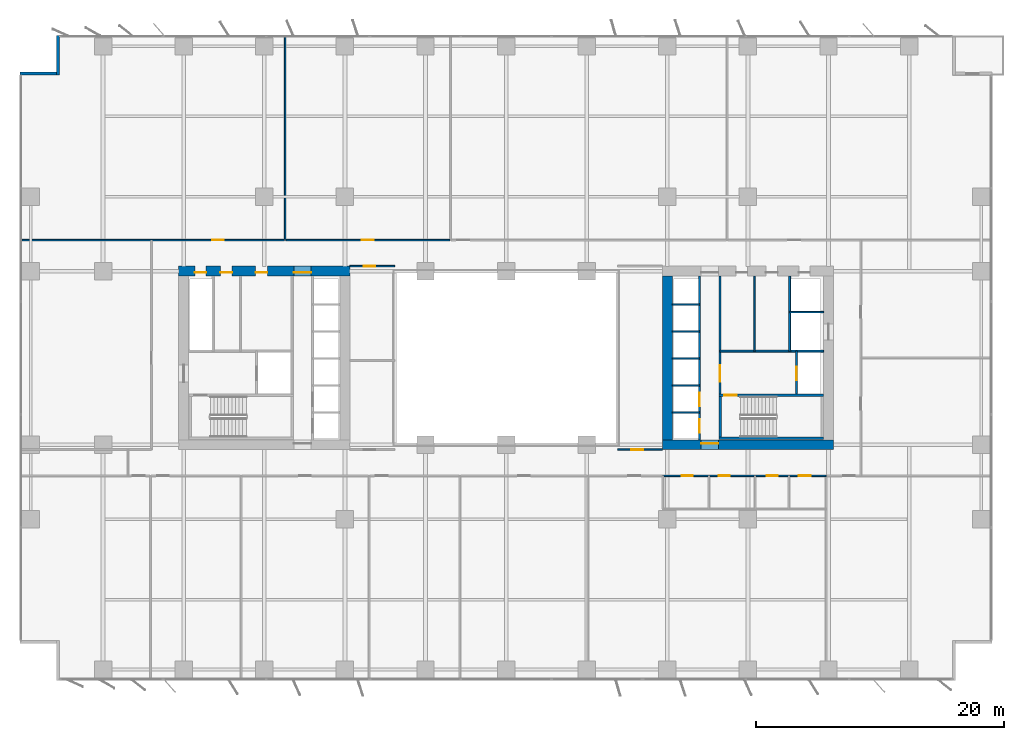
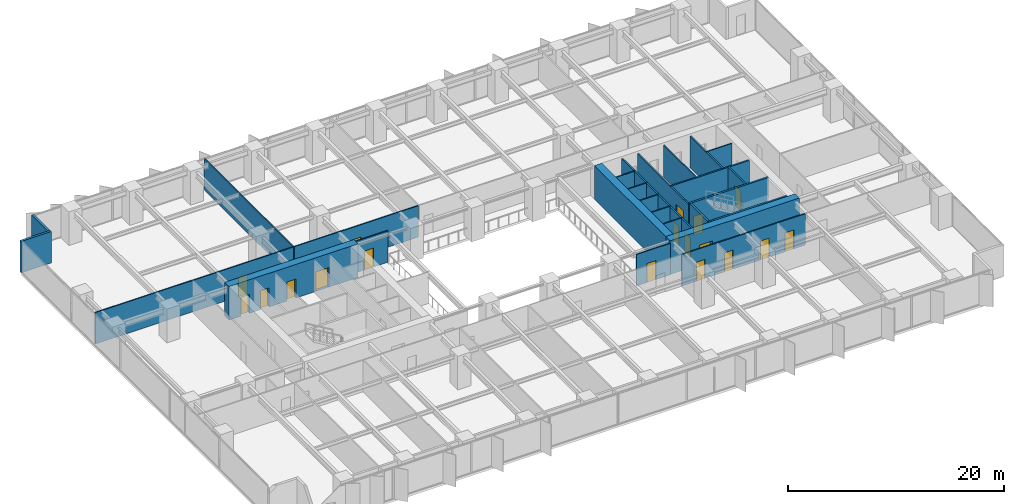
# One storey, part 14 of 20: 26 walls, 18 doors, 18 openings.
"""IFC4 building model written with IfcOpenShell, lengths in metres."""

from ifc_helpers import new_model, si_unit, direction, frame, frame_2d, origin, place, context, subcontext, project, spatial, rectangle, extrude, material, layer, layer_set, type_object, element, fill, save


model = new_model("IFC4")

# Units and contexts
model_context = context("Model", 3, precision=1e-05, world=origin(), true_north=direction((0.0, 1.0)))
body_context = subcontext(model_context, "Body", "Model", "MODEL_VIEW")
ifc_project = project(units=[si_unit("LENGTHUNIT", "METRE"), si_unit("AREAUNIT", "SQUARE_METRE"), si_unit("VOLUMEUNIT", "CUBIC_METRE"), si_unit("PLANEANGLEUNIT", "RADIAN"), si_unit("MASSUNIT", "GRAM", prefix="KILO")], contexts=[model_context])

# Site, building, storey
site_placement = place(None, origin())
site = spatial("IfcSite", under=ifc_project, at=site_placement, CompositionType="ELEMENT")
building_placement = place(site_placement, origin())
building = spatial("IfcBuilding", under=site, at=building_placement, Name="Putna Gate Headquarters", CompositionType="ELEMENT")
storey_placement = place(building_placement, frame((0.0, 0.0, 62.0)))
storey = spatial("IfcBuildingStorey", under=building, at=storey_placement, Name="L14", CompositionType="ELEMENT", Elevation=62.0)

# Wall, openings, doors
ifc_material_1 = material(Name="Concrete C60/75", Category="concrete")
ifc_layer_1 = layer(ifc_material_1, 0.800048828125)
ifc_layer_set_1 = layer_set([ifc_layer_1], Name="Concrete C60/75")
wall_type_1 = type_object("IfcWallType", Name="WALL-CORE-800", PredefinedType="SHEAR", material=ifc_layer_set_1)
wall_1_placement = place(storey_placement, frame((12.60009765625, 33.0, 0.0), z_axis=(0.0, 0.0, 1.0), x_axis=(1.0, 0.0, 0.0)))
wall_1 = element("IfcWall", 1, at=wall_1_placement, inside=storey, type_object=wall_type_1, Name="L14 WC Split Core Shear Wall N", PredefinedType="SHEAR", context=body_context, shape_type="SweptSolid", body=[
    extrude(rectangle(XDim=13.7998046875, YDim=0.800048828125, at=frame_2d((6.89990234375, 0.0))), origin(), (0.0, 0.0, 1.0), 3.800048828125),
])
opening_1_placement = place(wall_1_placement, frame((1.300048828125, 0.0, 0.0)))
opening_1 = element("IfcOpeningElement", 2, at=opening_1_placement, cuts=wall_1, Name="Opening RD-90", PredefinedType="OPENING", context=body_context, shape_type="SweptSolid", body=[
    extrude(rectangle(XDim=0.89990234375, YDim=2.14990234375, at=frame_2d((0.449951171875, 1.074951171875))), frame((0.0, 0.409912109375, 0.0), z_axis=(0.0, -1.0, 0.0), x_axis=(1.0, 0.0, 0.0)), (0.0, 0.0, 1.0), 0.820068359375),
])
opening_2_placement = place(wall_1_placement, frame((3.35009765625, 0.0, 0.0)))
opening_2 = element("IfcOpeningElement", 3, at=opening_2_placement, cuts=wall_1, Name="Opening IDS-95", PredefinedType="OPENING", context=body_context, shape_type="SweptSolid", body=[
    extrude(rectangle(XDim=0.949951171875, YDim=2.14990234375, at=frame_2d((0.47509765625, 1.074951171875))), frame((0.0, 0.409912109375, 0.0), z_axis=(0.0, -1.0, 0.0), x_axis=(1.0, 0.0, 0.0)), (0.0, 0.0, 1.0), 0.820068359375),
])
opening_3_placement = place(wall_1_placement, frame((6.199951171875, 0.0, 0.0)))
opening_3 = element("IfcOpeningElement", 4, at=opening_3_placement, cuts=wall_1, Name="Opening IDS-95", PredefinedType="OPENING", context=body_context, shape_type="SweptSolid", body=[
    extrude(rectangle(XDim=0.949951171875, YDim=2.14990234375, at=frame_2d((0.47509765625, 1.074951171875))), frame((0.0, 0.409912109375, 0.0), z_axis=(0.0, -1.0, 0.0), x_axis=(1.0, 0.0, 0.0)), (0.0, 0.0, 1.0), 0.820068359375),
])
opening_4_placement = place(wall_1_placement, frame((9.280029296875, 0.0, 0.0)))
opening_4 = element("IfcOpeningElement", 5, at=opening_4_placement, cuts=wall_1, Name="Opening FDD-140", PredefinedType="OPENING", context=body_context, shape_type="SweptSolid", body=[
    extrude(rectangle(XDim=1.39990234375, YDim=2.199951171875, at=frame_2d((0.699951171875, 1.10009765625))), frame((0.0, 0.409912109375, 0.0), z_axis=(0.0, -1.0, 0.0), x_axis=(1.0, 0.0, 0.0)), (0.0, 0.0, 1.0), 0.820068359375),
])
ifc_material_2 = material(Name="Double steel fire door", Category="steel")
door_type_1 = type_object("IfcDoorType", Name="DOOR-FIRE-DBL-1400", OperationType="DOUBLE_DOOR_SINGLE_SWING", PredefinedType="DOOR", material=ifc_material_2)
door_1_placement = place(opening_4_placement, origin())
door_1 = element("IfcDoor", 6, at=door_1_placement, inside=storey, type_object=door_type_1, Name="L14 West Lift Lobby North Door", OperationType="DOUBLE_DOOR_SINGLE_SWING", OverallHeight=2.199951171875, OverallWidth=1.39990234375, PredefinedType="DOOR", context=body_context, shape_type="SweptSolid", body=[
    extrude(rectangle(XDim=1.39990234375, YDim=2.199951171875, at=frame_2d((0.699951171875, 1.10009765625))), frame((0.0, -0.0751953125, 0.0), z_axis=(0.0, -1.0, 0.0), x_axis=(1.0, 0.0, 0.0)), (0.0, 0.0, 1.0), 0.050048828125),
])
fill(opening_4, door_1)
ifc_material_3 = material(Name="Fire-rated service timber door", Category="wood")
door_type_2 = type_object("IfcDoorType", Name="DOOR-INT-950", OperationType="NOTDEFINED", PredefinedType="DOOR", material=ifc_material_3)
door_2_placement = place(opening_2_placement, origin())
door_2 = element("IfcDoor", 7, at=door_2_placement, inside=storey, type_object=door_type_2, Name="L14 Archive Store Door", OperationType="SINGLE_SWING_LEFT", OverallHeight=2.14990234375, OverallWidth=0.949951171875, PredefinedType="DOOR", context=body_context, shape_type="SweptSolid", body=[
    extrude(rectangle(XDim=0.949951171875, YDim=2.14990234375, at=frame_2d((0.47509765625, 1.074951171875))), frame((0.0, -0.0751953125, 0.0), z_axis=(0.0, -1.0, 0.0), x_axis=(1.0, 0.0, 0.0)), (0.0, 0.0, 1.0), 0.050048828125),
])
fill(opening_2, door_2)
door_3_placement = place(opening_3_placement, origin())
door_3 = element("IfcDoor", 8, at=door_3_placement, inside=storey, type_object=door_type_2, Name="L14 Switchgear Plant Door", OperationType="SINGLE_SWING_RIGHT", OverallHeight=2.14990234375, OverallWidth=0.949951171875, PredefinedType="DOOR", context=body_context, shape_type="SweptSolid", body=[
    extrude(rectangle(XDim=0.949951171875, YDim=2.14990234375, at=frame_2d((0.47509765625, 1.074951171875))), frame((0.0, -0.0751953125, 0.0), z_axis=(0.0, -1.0, 0.0), x_axis=(1.0, 0.0, 0.0)), (0.0, 0.0, 1.0), 0.050048828125),
])
fill(opening_3, door_3)
ifc_material_4 = material(Name="Steel riser access fire door", Category="steel")
door_type_3 = type_object("IfcDoorType", Name="DOOR-RISER-900", OperationType="NOTDEFINED", PredefinedType="DOOR", material=ifc_material_4)
door_4_placement = place(opening_1_placement, origin())
door_4 = element("IfcDoor", 9, at=door_4_placement, inside=storey, type_object=door_type_3, Name="L14 West Riser Access Door", OperationType="SINGLE_SWING_RIGHT", OverallHeight=2.14990234375, OverallWidth=0.89990234375, PredefinedType="DOOR", context=body_context, shape_type="SweptSolid", body=[
    extrude(rectangle(XDim=0.89990234375, YDim=2.14990234375, at=frame_2d((0.449951171875, 1.074951171875))), frame((0.0, -0.0751953125, 0.0), z_axis=(0.0, -1.0, 0.0), x_axis=(1.0, 0.0, 0.0)), (0.0, 0.0, 1.0), 0.050048828125),
])
fill(opening_1, door_4)

# Wall, opening, door
wall_2_placement = place(storey_placement, frame((51.60009765625, 19.0, 0.0), z_axis=(0.0, 0.0, 1.0), x_axis=(1.0, 0.0, 0.0)))
wall_2 = element("IfcWall", 10, at=wall_2_placement, inside=storey, type_object=wall_type_1, Name="L14 EC Split Core Shear Wall S", PredefinedType="SHEAR", context=body_context, shape_type="SweptSolid", body=[
    extrude(rectangle(XDim=13.7998046875, YDim=0.800048828125, at=frame_2d((6.89990234375, 0.0))), origin(), (0.0, 0.0, 1.0), 3.800048828125),
])
opening_5_placement = place(wall_2_placement, frame((3.1201171875, 0.0, 0.0)))
opening_5 = element("IfcOpeningElement", 11, at=opening_5_placement, cuts=wall_2, Name="Opening FDD-140", PredefinedType="OPENING", context=body_context, shape_type="SweptSolid", body=[
    extrude(rectangle(XDim=1.39990234375, YDim=2.199951171875, at=frame_2d((0.699951171875, 1.10009765625))), frame((0.0, 0.409912109375, 0.0), z_axis=(0.0, -1.0, 0.0), x_axis=(1.0, 0.0, 0.0)), (0.0, 0.0, 1.0), 0.820068359375),
])
door_5_placement = place(opening_5_placement, origin())
door_5 = element("IfcDoor", 12, at=door_5_placement, inside=storey, type_object=door_type_1, Name="L14 East Lift Lobby South Door", OperationType="DOUBLE_DOOR_SINGLE_SWING", OverallHeight=2.199951171875, OverallWidth=1.39990234375, PredefinedType="DOOR", context=body_context, shape_type="SweptSolid", body=[
    extrude(rectangle(XDim=1.39990234375, YDim=2.199951171875, at=frame_2d((0.699951171875, 1.10009765625))), frame((0.0, 0.125, 0.0), z_axis=(0.0, -1.0, 0.0), x_axis=(1.0, 0.0, 0.0)), (0.0, 0.0, 1.0), 0.050048828125),
])
fill(opening_5, door_5)

# Walls
wall_3_placement = place(storey_placement, frame((52.0, 19.39990234375, 0.0), z_axis=(0.0, 0.0, 1.0), x_axis=(0.0, 1.0, 0.0)))
element("IfcWall", 13, at=wall_3_placement, inside=storey, type_object=wall_type_1, Name="L14 EC Split Core Shear Wall W", PredefinedType="SHEAR", context=body_context, shape_type="SweptSolid", body=[
    extrude(rectangle(XDim=13.2001953125, YDim=0.800048828125, at=frame_2d((6.60009765625, 0.0))), origin(), (0.0, 0.0, 1.0), 3.800048828125),
])
ifc_material_5 = material(Name="Precast concrete C40/50", Category="concrete")
ifc_layer_2 = layer(ifc_material_5, 0.239990234375)
ifc_layer_set_2 = layer_set([ifc_layer_2], Name="Precast concrete C40/50")
wall_type_2 = type_object("IfcWallType", Name="WALL-EXT-TERR-240", PredefinedType="STANDARD", material=ifc_layer_set_2)
for number, where, z_axis, x_axis, name in (
    (14, (2.8798828125, 48.800048828125, 0.0), (0.0, 0.0, 1.0), (0.0, 1.0, 0.0), "L14 Corner Notch Return Wall NW-V"),
    (15, (-0.199951171875, 48.919921875, 0.0), (0.0, 0.0, 1.0), (1.0, 0.0, 0.0), "L14 Corner Notch Return Wall NW-H"),
):
    element("IfcWall", number, at=place(storey_placement, frame(where, z_axis=z_axis, x_axis=x_axis)), inside=storey, type_object=wall_type_2, Name=name, PredefinedType="STANDARD", context=body_context, shape_type="SweptSolid", body=[
        extrude(rectangle(XDim=3.199951171875, YDim=0.239990234375, at=frame_2d((1.60009765625, 0.0))), origin(), (0.0, 0.0, 1.0), 3.550048828125),
    ])

# Wall, opening, door
ifc_material_6 = material(Name="Acoustic gypsum board on metal stud")
ifc_layer_3 = layer(ifc_material_6, 0.1201171875)
ifc_layer_set_3 = layer_set([ifc_layer_3], Name="Acoustic gypsum board on metal stud")
wall_type_3 = type_object("IfcWallType", Name="WALL-PART-120", PredefinedType="PARTITIONING", material=ifc_layer_set_3)
wall_4_placement = place(storey_placement, frame((26.39990234375, 33.39990234375, 0.0), z_axis=(0.0, 0.0, 1.0), x_axis=(1.0, 0.0, 0.0)))
wall_4 = element("IfcWall", 16, at=wall_4_placement, inside=storey, type_object=wall_type_3, Name="L14 Interior Wall PART-L14-ATR-W-N", PredefinedType="PARTITIONING", context=body_context, shape_type="SweptSolid", body=[
    extrude(rectangle(XDim=3.60009765625, YDim=0.1201171875, at=frame_2d((1.800048828125, 0.0))), origin(), (0.0, 0.0, 1.0), 3.550048828125),
])
opening_6_placement = place(wall_4_placement, frame((1.10009765625, 0.0, 0.0)))
opening_6 = element("IfcOpeningElement", 17, at=opening_6_placement, cuts=wall_4, Name="Opening ID-95", PredefinedType="OPENING", context=body_context, shape_type="SweptSolid", body=[
    extrude(rectangle(XDim=0.949951171875, YDim=2.14990234375, at=frame_2d((0.47509765625, 1.074951171875))), frame((0.0, 0.070068359375, 0.0), z_axis=(0.0, -1.0, 0.0), x_axis=(1.0, 0.0, 0.0)), (0.0, 0.0, 1.0), 0.14013671875),
])
ifc_material_7 = material(Name="Veneered acoustic timber door", Category="wood")
door_type_4 = type_object("IfcDoorType", Name="DOOR-OFF-950", OperationType="NOTDEFINED", PredefinedType="DOOR", material=ifc_material_7)
door_6_placement = place(opening_6_placement, origin())
door_6 = element("IfcDoor", 18, at=door_6_placement, inside=storey, type_object=door_type_4, Name="L14 West Atrium North Study Door", OperationType="SINGLE_SWING_RIGHT", OverallHeight=2.14990234375, OverallWidth=0.949951171875, PredefinedType="DOOR", context=body_context, shape_type="SweptSolid", body=[
    extrude(rectangle(XDim=0.949951171875, YDim=2.14990234375, at=frame_2d((0.47509765625, 1.074951171875))), frame((0.0, 0.02490234375, 0.0), z_axis=(0.0, -1.0, 0.0), x_axis=(1.0, 0.0, 0.0)), (0.0, 0.0, 1.0), 0.050048828125),
])
fill(opening_6, door_6)

wall_5_placement = place(storey_placement, frame((48.0, 18.60009765625, 0.0), z_axis=(0.0, 0.0, 1.0), x_axis=(1.0, 0.0, 0.0)))
wall_5 = element("IfcWall", 19, at=wall_5_placement, inside=storey, type_object=wall_type_3, Name="L14 Interior Wall PART-L14-ATR-E-S", PredefinedType="PARTITIONING", context=body_context, shape_type="SweptSolid", body=[
    extrude(rectangle(XDim=3.60009765625, YDim=0.1201171875, at=frame_2d((1.800048828125, 0.0))), origin(), (0.0, 0.0, 1.0), 3.550048828125),
])
opening_7_placement = place(wall_5_placement, frame((1.10009765625, 0.0, 0.0)))
opening_7 = element("IfcOpeningElement", 20, at=opening_7_placement, cuts=wall_5, Name="Opening ID-95", PredefinedType="OPENING", context=body_context, shape_type="SweptSolid", body=[
    extrude(rectangle(XDim=0.949951171875, YDim=2.14990234375, at=frame_2d((0.47509765625, 1.074951171875))), frame((0.0, 0.070068359375, 0.0), z_axis=(0.0, -1.0, 0.0), x_axis=(1.0, 0.0, 0.0)), (0.0, 0.0, 1.0), 0.14013671875),
])
door_7_placement = place(opening_7_placement, origin())
door_7 = element("IfcDoor", 21, at=door_7_placement, inside=storey, type_object=door_type_4, Name="L14 East Atrium Gallery Lounge Door", OperationType="SINGLE_SWING_LEFT", OverallHeight=2.14990234375, OverallWidth=0.949951171875, PredefinedType="DOOR", context=body_context, shape_type="SweptSolid", body=[
    extrude(rectangle(XDim=0.949951171875, YDim=2.14990234375, at=frame_2d((0.47509765625, 1.074951171875))), frame((0.0, 0.02490234375, 0.0), z_axis=(0.0, -1.0, 0.0), x_axis=(1.0, 0.0, 0.0)), (0.0, 0.0, 1.0), 0.050048828125),
])
fill(opening_7, door_7)

# Walls
wall_6_placement = place(storey_placement, frame((21.17578125, 35.56005859375, 0.0), z_axis=(0.0, 0.0, 1.0), x_axis=(0.0, 1.0, 0.0)))
element("IfcWall", 22, at=wall_6_placement, inside=storey, type_object=wall_type_3, Name="L14 Interior Wall PART-L14-NB-DIV-01", PredefinedType="PARTITIONING", context=body_context, shape_type="SweptSolid", body=[
    extrude(rectangle(XDim=16.419921875, YDim=0.1201171875, at=frame_2d((8.2099609375, 0.0))), origin(), (0.0, 0.0, 1.0), 3.550048828125),
])
ifc_material_8 = material(Name="Fire-rated shaftwall gypsum board on metal stud")
ifc_layer_4 = layer(ifc_material_8, 0.1201171875)
ifc_layer_set_4 = layer_set([ifc_layer_4], Name="Fire-rated shaftwall gypsum board on metal stud")
wall_type_4 = type_object("IfcWallType", Name="WALL-PART-120-EI120", PredefinedType="PARTITIONING", material=ifc_layer_set_4)
for number, where, z_axis, x_axis, name in (
    (23, (52.39990234375, 21.610107421875, 0.0), (0.0, 0.0, 1.0), (1.0, 0.0, 0.0), "L14 Interior Wall CWINT-L14-EC-LF03-DIV"),
    (24, (52.39990234375, 23.780029296875, 0.0), (0.0, 0.0, 1.0), (1.0, 0.0, 0.0), "L14 Interior Wall CWINT-L14-EC-LF04-DIV"),
    (25, (52.39990234375, 25.949951171875, 0.0), (0.0, 0.0, 1.0), (1.0, 0.0, 0.0), "L14 Interior Wall CWINT-L14-EC-LF07-DIV"),
    (26, (52.39990234375, 28.1201171875, 0.0), (0.0, 0.0, 1.0), (1.0, 0.0, 0.0), "L14 Interior Wall CWINT-L14-EC-LF08-DIV"),
    (27, (52.39990234375, 30.31005859375, 0.0), (0.0, 0.0, 1.0), (1.0, 0.0, 0.0), "L14 Interior Wall CWINT-L14-EC-LF11-DIV"),
):
    element("IfcWall", number, at=place(storey_placement, frame(where, z_axis=z_axis, x_axis=x_axis)), inside=storey, type_object=wall_type_4, Name=name, PredefinedType="PARTITIONING", context=body_context, shape_type="SweptSolid", body=[
        extrude(rectangle(XDim=2.2001953125, YDim=0.1201171875, at=frame_2d((1.10009765625, 0.0))), origin(), (0.0, 0.0, 1.0), 3.550048828125),
    ])
wall_7_placement = place(storey_placement, frame((61.8701171875, 29.699951171875, 0.0), z_axis=(0.0, 0.0, 1.0), x_axis=(1.0, 0.0, 0.0)))
element("IfcWall", 28, at=wall_7_placement, inside=storey, type_object=wall_type_4, Name="L14 Interior Wall CWINT-L14-EC-LF15-N", PredefinedType="PARTITIONING", context=body_context, shape_type="SweptSolid", body=[
    extrude(rectangle(XDim=2.72998046875, YDim=0.1201171875, at=frame_2d((1.364990234375, 0.0))), origin(), (0.0, 0.0, 1.0), 3.550048828125),
])
ifc_material_9 = material(Name="Fire-rated gypsum board on metal stud")
ifc_layer_5 = layer(ifc_material_9, 0.1201171875)
ifc_layer_set_5 = layer_set([ifc_layer_5], Name="Fire-rated gypsum board on metal stud")
wall_type_5 = type_object("IfcWallType", Name="WALL-PART-120-RATED", PredefinedType="PARTITIONING", material=ifc_layer_set_5)
wall_8_placement = place(storey_placement, frame((59.02001953125, 26.56005859375, 0.0), z_axis=(0.0, 0.0, 1.0), x_axis=(0.0, 1.0, 0.0)))
element("IfcWall", 29, at=wall_8_placement, inside=storey, type_object=wall_type_5, Name="L14 Interior Wall CWINT-L14-EC-K1-DIV", PredefinedType="PARTITIONING", context=body_context, shape_type="SweptSolid", body=[
    extrude(rectangle(XDim=6.0400390625, YDim=0.1201171875, at=frame_2d((3.02001953125, 0.0))), origin(), (0.0, 0.0, 1.0), 3.550048828125),
])

# Wall, openings, doors
wall_9_placement = place(storey_placement, frame((51.639892578125, 16.5, 0.0), z_axis=(0.0, 0.0, 1.0), x_axis=(1.0, 0.0, 0.0)))
wall_9 = element("IfcWall", 30, at=wall_9_placement, inside=storey, type_object=wall_type_5, Name="L14 Interior Wall PART-L14-SAN-CW", PredefinedType="PARTITIONING", context=body_context, shape_type="SweptSolid", body=[
    extrude(rectangle(XDim=13.16015625, YDim=0.1201171875, at=frame_2d((6.580078125, 0.0))), origin(), (0.0, 0.0, 1.0), 3.550048828125),
])
opening_8_placement = place(wall_9_placement, frame((1.510009765625, 0.0, 0.0)))
opening_8 = element("IfcOpeningElement", 31, at=opening_8_placement, cuts=wall_9, Name="Opening FD-90", PredefinedType="OPENING", context=body_context, shape_type="SweptSolid", body=[
    extrude(rectangle(XDim=0.89990234375, YDim=2.14990234375, at=frame_2d((0.449951171875, 1.074951171875))), frame((0.0, 0.070068359375, 0.0), z_axis=(0.0, -1.0, 0.0), x_axis=(1.0, 0.0, 0.0)), (0.0, 0.0, 1.0), 0.14013671875),
])
opening_9_placement = place(wall_9_placement, frame((4.510009765625, 0.0, 0.0)))
opening_9 = element("IfcOpeningElement", 32, at=opening_9_placement, cuts=wall_9, Name="Opening FD-90", PredefinedType="OPENING", context=body_context, shape_type="SweptSolid", body=[
    extrude(rectangle(XDim=0.89990234375, YDim=2.14990234375, at=frame_2d((0.449951171875, 1.074951171875))), frame((0.0, 0.070068359375, 0.0), z_axis=(0.0, -1.0, 0.0), x_axis=(1.0, 0.0, 0.0)), (0.0, 0.0, 1.0), 0.14013671875),
])
opening_10_placement = place(wall_9_placement, frame((8.360107421875, 0.0, 0.0)))
opening_10 = element("IfcOpeningElement", 33, at=opening_10_placement, cuts=wall_9, Name="Opening FD-90", PredefinedType="OPENING", context=body_context, shape_type="SweptSolid", body=[
    extrude(rectangle(XDim=0.89990234375, YDim=2.14990234375, at=frame_2d((0.449951171875, 1.074951171875))), frame((0.0, 0.070068359375, 0.0), z_axis=(0.0, -1.0, 0.0), x_axis=(1.0, 0.0, 0.0)), (0.0, 0.0, 1.0), 0.14013671875),
])
opening_11_placement = place(wall_9_placement, frame((10.9599609375, 0.0, 0.0)))
opening_11 = element("IfcOpeningElement", 34, at=opening_11_placement, cuts=wall_9, Name="Opening FD-95", PredefinedType="OPENING", context=body_context, shape_type="SweptSolid", body=[
    extrude(rectangle(XDim=0.949951171875, YDim=2.14990234375, at=frame_2d((0.47509765625, 1.074951171875))), frame((0.0, 0.070068359375, 0.0), z_axis=(0.0, -1.0, 0.0), x_axis=(1.0, 0.0, 0.0)), (0.0, 0.0, 1.0), 0.14013671875),
])
ifc_material_10 = material(Name="Acoustic washroom fire door")
door_type_5 = type_object("IfcDoorType", Name="DOOR-FIRE-900", OperationType="NOTDEFINED", PredefinedType="DOOR", material=ifc_material_10)
door_8_placement = place(opening_8_placement, origin())
door_8 = element("IfcDoor", 35, at=door_8_placement, inside=storey, type_object=door_type_5, Name="L14 Washroom Male Door", OperationType="SINGLE_SWING_RIGHT", OverallHeight=2.14990234375, OverallWidth=0.89990234375, PredefinedType="DOOR", context=body_context, shape_type="SweptSolid", body=[
    extrude(rectangle(XDim=0.89990234375, YDim=2.14990234375, at=frame_2d((0.449951171875, 1.074951171875))), frame((0.0, 0.02490234375, 0.0), z_axis=(0.0, -1.0, 0.0), x_axis=(1.0, 0.0, 0.0)), (0.0, 0.0, 1.0), 0.050048828125),
])
fill(opening_8, door_8)
door_9_placement = place(opening_9_placement, origin())
door_9 = element("IfcDoor", 36, at=door_9_placement, inside=storey, type_object=door_type_5, Name="L14 Washroom Female Door", OperationType="SINGLE_SWING_LEFT", OverallHeight=2.14990234375, OverallWidth=0.89990234375, PredefinedType="DOOR", context=body_context, shape_type="SweptSolid", body=[
    extrude(rectangle(XDim=0.89990234375, YDim=2.14990234375, at=frame_2d((0.449951171875, 1.074951171875))), frame((0.0, 0.02490234375, 0.0), z_axis=(0.0, -1.0, 0.0), x_axis=(1.0, 0.0, 0.0)), (0.0, 0.0, 1.0), 0.050048828125),
])
fill(opening_9, door_9)
door_10_placement = place(opening_10_placement, origin())
door_10 = element("IfcDoor", 37, at=door_10_placement, inside=storey, type_object=door_type_5, Name="L14 Accessible WC Door", OperationType="SINGLE_SWING_RIGHT", OverallHeight=2.14990234375, OverallWidth=0.89990234375, PredefinedType="DOOR", context=body_context, shape_type="SweptSolid", body=[
    extrude(rectangle(XDim=0.89990234375, YDim=2.14990234375, at=frame_2d((0.449951171875, 1.074951171875))), frame((0.0, 0.02490234375, 0.0), z_axis=(0.0, -1.0, 0.0), x_axis=(1.0, 0.0, 0.0)), (0.0, 0.0, 1.0), 0.050048828125),
])
fill(opening_10, door_10)
ifc_material_11 = material(Name="Acoustic timber fire door", Category="wood")
door_type_6 = type_object("IfcDoorType", Name="DOOR-FIRE-950", OperationType="NOTDEFINED", PredefinedType="DOOR", material=ifc_material_11)
door_11_placement = place(opening_11_placement, origin())
door_11 = element("IfcDoor", 38, at=door_11_placement, inside=storey, type_object=door_type_6, Name="L14 Staff Pantry and Tea Point Door", OperationType="SINGLE_SWING_LEFT", OverallHeight=2.14990234375, OverallWidth=0.949951171875, PredefinedType="DOOR", context=body_context, shape_type="SweptSolid", body=[
    extrude(rectangle(XDim=0.949951171875, YDim=2.14990234375, at=frame_2d((0.47509765625, 1.074951171875))), frame((0.0, 0.02490234375, 0.0), z_axis=(0.0, -1.0, 0.0), x_axis=(1.0, 0.0, 0.0)), (0.0, 0.0, 1.0), 0.050048828125),
])
fill(opening_11, door_11)

# Wall, opening, door
wall_10_placement = place(storey_placement, frame((-0.02001953125, 35.5, 0.0), z_axis=(0.0, 0.0, 1.0), x_axis=(1.0, 0.0, 0.0)))
wall_10 = element("IfcWall", 39, at=wall_10_placement, inside=storey, type_object=wall_type_5, Name="L14 Interior Wall PART-L14-NB-CW-01", PredefinedType="PARTITIONING", context=body_context, shape_type="SweptSolid", body=[
    extrude(rectangle(XDim=21.1357421875, YDim=0.1201171875, at=frame_2d((10.56787109375, 0.0))), origin(), (0.0, 0.0, 1.0), 3.550048828125),
])
opening_12_placement = place(wall_10_placement, frame((15.302978515625, 0.0, 0.0)))
opening_12 = element("IfcOpeningElement", 40, at=opening_12_placement, cuts=wall_10, Name="Opening FD-95", PredefinedType="OPENING", context=body_context, shape_type="SweptSolid", body=[
    extrude(rectangle(XDim=0.949951171875, YDim=2.14990234375, at=frame_2d((0.47509765625, 1.074951171875))), frame((0.0, 0.070068359375, 0.0), z_axis=(0.0, -1.0, 0.0), x_axis=(1.0, 0.0, 0.0)), (0.0, 0.0, 1.0), 0.14013671875),
])
door_12_placement = place(opening_12_placement, origin())
door_12 = element("IfcDoor", 41, at=door_12_placement, inside=storey, type_object=door_type_6, Name="L14 Quiet Wellness Focus Studio 2 Door", OperationType="SINGLE_SWING_RIGHT", OverallHeight=2.14990234375, OverallWidth=0.949951171875, PredefinedType="DOOR", context=body_context, shape_type="SweptSolid", body=[
    extrude(rectangle(XDim=0.949951171875, YDim=2.14990234375, at=frame_2d((0.47509765625, 1.074951171875))), frame((0.0, 0.02490234375, 0.0), z_axis=(0.0, -1.0, 0.0), x_axis=(1.0, 0.0, 0.0)), (0.0, 0.0, 1.0), 0.050048828125),
])
fill(opening_12, door_12)

wall_11_placement = place(storey_placement, frame((21.235595703125, 35.5, 0.0), z_axis=(0.0, 0.0, 1.0), x_axis=(1.0, 0.0, 0.0)))
wall_11 = element("IfcWall", 42, at=wall_11_placement, inside=storey, type_object=wall_type_5, Name="L14 Interior Wall PART-L14-NB-CW-02", PredefinedType="PARTITIONING", context=body_context, shape_type="SweptSolid", body=[
    extrude(rectangle(XDim=13.232666015625, YDim=0.1201171875, at=frame_2d((6.6162109375, 0.0))), origin(), (0.0, 0.0, 1.0), 3.550048828125),
])
opening_13_placement = place(wall_11_placement, frame((6.141357421875, 0.0, 0.0)))
opening_13 = element("IfcOpeningElement", 43, at=opening_13_placement, cuts=wall_11, Name="Opening FD-95", PredefinedType="OPENING", context=body_context, shape_type="SweptSolid", body=[
    extrude(rectangle(XDim=0.949951171875, YDim=2.14990234375, at=frame_2d((0.47509765625, 1.074951171875))), frame((0.0, 0.070068359375, 0.0), z_axis=(0.0, -1.0, 0.0), x_axis=(1.0, 0.0, 0.0)), (0.0, 0.0, 1.0), 0.14013671875),
])
door_13_placement = place(opening_13_placement, origin())
door_13 = element("IfcDoor", 44, at=door_13_placement, inside=storey, type_object=door_type_6, Name="L14 Conference Meeting Room 2 Door", OperationType="SINGLE_SWING_LEFT", OverallHeight=2.14990234375, OverallWidth=0.949951171875, PredefinedType="DOOR", context=body_context, shape_type="SweptSolid", body=[
    extrude(rectangle(XDim=0.949951171875, YDim=2.14990234375, at=frame_2d((0.47509765625, 1.074951171875))), frame((0.0, 0.02490234375, 0.0), z_axis=(0.0, -1.0, 0.0), x_axis=(1.0, 0.0, 0.0)), (0.0, 0.0, 1.0), 0.050048828125),
])
fill(opening_13, door_13)

# Wall, openings, doors
ifc_material_12 = material(Name="Concrete C40/50", Category="concrete")
ifc_layer_6 = layer(ifc_material_12, 0.159912109375)
ifc_layer_set_6 = layer_set([ifc_layer_6], Name="Concrete C40/50")
wall_type_6 = type_object("IfcWallType", Name="WALL-SHAFT-160", PredefinedType="STANDARD", material=ifc_layer_set_6)
wall_12_placement = place(storey_placement, frame((54.60009765625, 19.39990234375, 0.0), z_axis=(0.0, 0.0, 1.0), x_axis=(0.0, 1.0, 0.0)))
wall_12 = element("IfcWall", 45, at=wall_12_placement, inside=storey, type_object=wall_type_6, Name="L14 Interior Wall CWINT-L14-EC-PL-WALL", PredefinedType="STANDARD", context=body_context, shape_type="SweptSolid", body=[
    extrude(rectangle(XDim=13.2001953125, YDim=0.159912109375, at=frame_2d((6.60009765625, 0.0))), origin(), (0.0, 0.0, 1.0), 3.550048828125),
])
opening_14_placement = place(wall_12_placement, frame((0.550048828125, 0.0, 0.0)))
opening_14 = element("IfcOpeningElement", 46, at=opening_14_placement, cuts=wall_12, Name="Opening LD-1", PredefinedType="OPENING", context=body_context, shape_type="SweptSolid", body=[
    extrude(rectangle(XDim=1.10009765625, YDim=2.199951171875, at=frame_2d((0.550048828125, 1.10009765625))), frame((0.0, 0.08984375, 0.0), z_axis=(0.0, -1.0, 0.0), x_axis=(1.0, 0.0, 0.0)), (0.0, 0.0, 1.0), 0.179931640625),
])
opening_15_placement = place(wall_12_placement, frame((2.699951171875, 0.0, 0.0)))
opening_15 = element("IfcOpeningElement", 47, at=opening_15_placement, cuts=wall_12, Name="Opening LD-1", PredefinedType="OPENING", context=body_context, shape_type="SweptSolid", body=[
    extrude(rectangle(XDim=1.10009765625, YDim=2.199951171875, at=frame_2d((0.550048828125, 1.10009765625))), frame((0.0, 0.08984375, 0.0), z_axis=(0.0, -1.0, 0.0), x_axis=(1.0, 0.0, 0.0)), (0.0, 0.0, 1.0), 0.179931640625),
])
ifc_material_13 = material(Name="Brushed bronze stainless lift landing door")
door_type_7 = type_object("IfcDoorType", Name="DOOR-LIFT-1100", OperationType="DOUBLE_DOOR_SLIDING", PredefinedType="DOOR", material=ifc_material_13)
door_14_placement = place(opening_14_placement, origin())
door_14 = element("IfcDoor", 48, at=door_14_placement, inside=storey, type_object=door_type_7, Name="L14 Lift Landing Door LD-03", OperationType="DOUBLE_DOOR_SLIDING", OverallHeight=2.199951171875, OverallWidth=1.10009765625, PredefinedType="DOOR", context=body_context, shape_type="SweptSolid", body=[
    extrude(rectangle(XDim=1.10009765625, YDim=2.199951171875, at=frame_2d((0.550048828125, 1.10009765625))), frame((0.0, 0.02490234375, 0.0), z_axis=(0.0, -1.0, 0.0), x_axis=(1.0, 0.0, 0.0)), (0.0, 0.0, 1.0), 0.050048828125),
])
fill(opening_14, door_14)
door_15_placement = place(opening_15_placement, origin())
door_15 = element("IfcDoor", 49, at=door_15_placement, inside=storey, type_object=door_type_7, Name="L14 Lift Landing Door LD-04", OperationType="DOUBLE_DOOR_SLIDING", OverallHeight=2.199951171875, OverallWidth=1.10009765625, PredefinedType="DOOR", context=body_context, shape_type="SweptSolid", body=[
    extrude(rectangle(XDim=1.10009765625, YDim=2.199951171875, at=frame_2d((0.550048828125, 1.10009765625))), frame((0.0, 0.02490234375, 0.0), z_axis=(0.0, -1.0, 0.0), x_axis=(1.0, 0.0, 0.0)), (0.0, 0.0, 1.0), 0.050048828125),
])
fill(opening_15, door_15)

# Wall, opening, door
wall_13_placement = place(storey_placement, frame((56.260009765625, 23.090087890625, 0.0), z_axis=(0.0, 0.0, 1.0), x_axis=(0.0, 1.0, 0.0)))
wall_13 = element("IfcWall", 50, at=wall_13_placement, inside=storey, type_object=wall_type_6, Name="L14 Interior Wall CWINT-L14-EC-LOB-E", PredefinedType="STANDARD", context=body_context, shape_type="SweptSolid", body=[
    extrude(rectangle(XDim=9.510009765625, YDim=0.159912109375, at=frame_2d((4.7548828125, 0.0))), origin(), (0.0, 0.0, 1.0), 3.550048828125),
])
opening_16_placement = place(wall_13_placement, frame((1.010009765625, 0.0, 0.0)))
opening_16 = element("IfcOpeningElement", 51, at=opening_16_placement, cuts=wall_13, Name="Opening FDD-130", PredefinedType="OPENING", context=body_context, shape_type="SweptSolid", body=[
    extrude(rectangle(XDim=1.300048828125, YDim=2.199951171875, at=frame_2d((0.64990234375, 1.10009765625))), frame((0.0, 0.08984375, 0.0), z_axis=(0.0, -1.0, 0.0), x_axis=(1.0, 0.0, 0.0)), (0.0, 0.0, 1.0), 0.179931640625),
])
ifc_material_14 = material(Name="Double steel lobby fire door", Category="steel")
door_type_8 = type_object("IfcDoorType", Name="DOOR-FIRE-DBL-1300", OperationType="DOUBLE_DOOR_SINGLE_SWING", PredefinedType="DOOR", material=ifc_material_14)
door_16_placement = place(opening_16_placement, origin())
door_16 = element("IfcDoor", 52, at=door_16_placement, inside=storey, type_object=door_type_8, Name="L14 East Firefighting Lobby Door", OperationType="DOUBLE_DOOR_SINGLE_SWING", OverallHeight=2.199951171875, OverallWidth=1.300048828125, PredefinedType="DOOR", context=body_context, shape_type="SweptSolid", body=[
    extrude(rectangle(XDim=1.300048828125, YDim=2.199951171875, at=frame_2d((0.64990234375, 1.10009765625))), frame((0.0, 0.02490234375, 0.0), z_axis=(0.0, -1.0, 0.0), x_axis=(1.0, 0.0, 0.0)), (0.0, 0.0, 1.0), 0.050048828125),
])
fill(opening_16, door_16)

wall_14_placement = place(storey_placement, frame((62.429931640625, 23.090087890625, 0.0), z_axis=(0.0, 0.0, 1.0), x_axis=(0.0, 1.0, 0.0)))
wall_14 = element("IfcWall", 53, at=wall_14_placement, inside=storey, type_object=wall_type_6, Name="L14 Interior Wall CWINT-L14-EC-LF14-W", PredefinedType="STANDARD", context=body_context, shape_type="SweptSolid", body=[
    extrude(rectangle(XDim=3.469970703125, YDim=0.159912109375, at=frame_2d((1.73486328125, 0.0))), origin(), (0.0, 0.0, 1.0), 3.550048828125),
])
opening_17_placement = place(wall_14_placement, frame((1.10009765625, 0.0, 0.0)))
opening_17 = element("IfcOpeningElement", 54, at=opening_17_placement, cuts=wall_14, Name="Opening LD-1", PredefinedType="OPENING", context=body_context, shape_type="SweptSolid", body=[
    extrude(rectangle(XDim=1.10009765625, YDim=2.199951171875, at=frame_2d((0.550048828125, 1.10009765625))), frame((0.0, 0.08984375, 0.0), z_axis=(0.0, -1.0, 0.0), x_axis=(1.0, 0.0, 0.0)), (0.0, 0.0, 1.0), 0.179931640625),
])
door_17_placement = place(opening_17_placement, origin())
door_17 = element("IfcDoor", 55, at=door_17_placement, inside=storey, type_object=door_type_7, Name="L14 Lift Landing Door LD-14", OperationType="DOUBLE_DOOR_SLIDING", OverallHeight=2.199951171875, OverallWidth=1.10009765625, PredefinedType="DOOR", context=body_context, shape_type="SweptSolid", body=[
    extrude(rectangle(XDim=1.10009765625, YDim=2.199951171875, at=frame_2d((0.550048828125, 1.10009765625))), frame((0.0, 0.02490234375, 0.0), z_axis=(0.0, -1.0, 0.0), x_axis=(1.0, 0.0, 0.0)), (0.0, 0.0, 1.0), 0.050048828125),
])
fill(opening_17, door_17)

# Walls
wall_15_placement = place(storey_placement, frame((56.260009765625, 26.56005859375, 0.0), z_axis=(0.0, 0.0, 1.0), x_axis=(1.0, 0.0, 0.0)))
element("IfcWall", 56, at=wall_15_placement, inside=storey, type_object=wall_type_6, Name="L14 Interior Wall CWINT-L14-EC-FFL-N", PredefinedType="STANDARD", context=body_context, shape_type="SweptSolid", body=[
    extrude(rectangle(XDim=8.340087890625, YDim=0.159912109375, at=frame_2d((4.169921875, 0.0))), origin(), (0.0, 0.0, 1.0), 3.550048828125),
])
wall_16_placement = place(storey_placement, frame((61.8701171875, 26.56005859375, 0.0), z_axis=(0.0, 0.0, 1.0), x_axis=(0.0, 1.0, 0.0)))
element("IfcWall", 57, at=wall_16_placement, inside=storey, type_object=wall_type_6, Name="L14 Interior Wall CWINT-L14-EC-LF15-W", PredefinedType="STANDARD", context=body_context, shape_type="SweptSolid", body=[
    extrude(rectangle(XDim=6.0400390625, YDim=0.159912109375, at=frame_2d((3.02001953125, 0.0))), origin(), (0.0, 0.0, 1.0), 3.550048828125),
])
ifc_layer_7 = layer(ifc_material_12, 0.199951171875)
ifc_layer_set_7 = layer_set([ifc_layer_7], Name="Concrete C40/50")
wall_type_7 = type_object("IfcWallType", Name="WALL-SHAFT-RC200", PredefinedType="SHEAR", material=ifc_layer_set_7)
wall_17_placement = place(storey_placement, frame((56.159912109375, 19.510009765625, 0.0), z_axis=(0.0, 0.0, 1.0), x_axis=(1.0, 0.0, 0.0)))
element("IfcWall", 58, at=wall_17_placement, inside=storey, type_object=wall_type_7, Name="L14 Stair ST2 Structural Shaft Wall S", PredefinedType="SHEAR", context=body_context, shape_type="SweptSolid", body=[
    extrude(rectangle(XDim=8.43017578125, YDim=0.199951171875, at=frame_2d((4.215087890625, 0.0))), origin(), (0.0, 0.0, 1.0), 3.800048828125),
])

# Wall, opening, door
wall_18_placement = place(storey_placement, frame((56.159912109375, 22.989990234375, 0.0), z_axis=(0.0, 0.0, 1.0), x_axis=(1.0, 0.0, 0.0)))
wall_18 = element("IfcWall", 59, at=wall_18_placement, inside=storey, type_object=wall_type_7, Name="L14 Stair ST2 Structural Shaft Wall N", PredefinedType="SHEAR", context=body_context, shape_type="SweptSolid", body=[
    extrude(rectangle(XDim=8.43017578125, YDim=0.199951171875, at=frame_2d((4.215087890625, 0.0))), origin(), (0.0, 0.0, 1.0), 3.800048828125),
])
opening_18_placement = place(wall_18_placement, frame((0.449951171875, 0.0, 0.0)))
opening_18 = element("IfcOpeningElement", 60, at=opening_18_placement, cuts=wall_18, Name="Opening FD-100", PredefinedType="OPENING", context=body_context, shape_type="SweptSolid", body=[
    extrude(rectangle(XDim=1.0, YDim=2.14990234375, at=frame_2d((0.5, 1.074951171875))), frame((0.0, 0.10986328125, 0.0), z_axis=(0.0, -1.0, 0.0), x_axis=(1.0, 0.0, 0.0)), (0.0, 0.0, 1.0), 0.219970703125),
])
ifc_material_15 = material(Name="Powder-coated steel fire door", Category="steel")
door_type_9 = type_object("IfcDoorType", Name="DOOR-FIRE-1000", OperationType="NOTDEFINED", PredefinedType="DOOR", material=ifc_material_15)
door_18_placement = place(opening_18_placement, origin())
door_18 = element("IfcDoor", 61, at=door_18_placement, inside=storey, type_object=door_type_9, Name="L14 Stair ST2 Fire Door", OperationType="SINGLE_SWING_RIGHT", OverallHeight=2.14990234375, OverallWidth=1.0, PredefinedType="DOOR", context=body_context, shape_type="SweptSolid", body=[
    extrude(rectangle(XDim=1.0, YDim=2.14990234375, at=frame_2d((0.5, 1.074951171875))), frame((0.0, 0.02490234375, 0.0), z_axis=(0.0, -1.0, 0.0), x_axis=(1.0, 0.0, 0.0)), (0.0, 0.0, 1.0), 0.050048828125),
])
fill(opening_18, door_18)

# Wall
wall_19_placement = place(storey_placement, frame((56.260009765625, 19.610107421875, 0.0), z_axis=(0.0, 0.0, 1.0), x_axis=(0.0, 1.0, 0.0)))
element("IfcWall", 62, at=wall_19_placement, inside=storey, type_object=wall_type_7, Name="L14 Stair ST2 Structural Shaft Wall W", PredefinedType="SHEAR", context=body_context, shape_type="SweptSolid", body=[
    extrude(rectangle(XDim=3.27978515625, YDim=0.199951171875, at=frame_2d((1.639892578125, 0.0))), origin(), (0.0, 0.0, 1.0), 3.800048828125),
])

save(model, "model.ifc")
